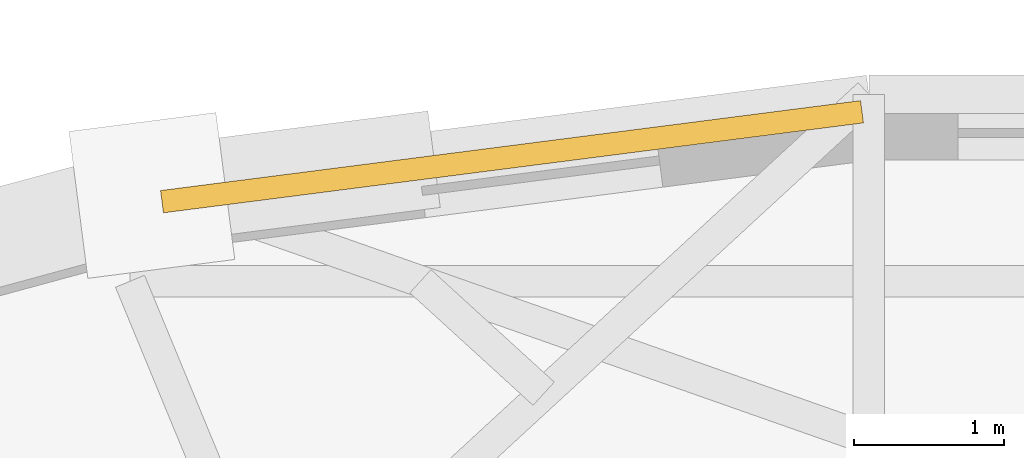
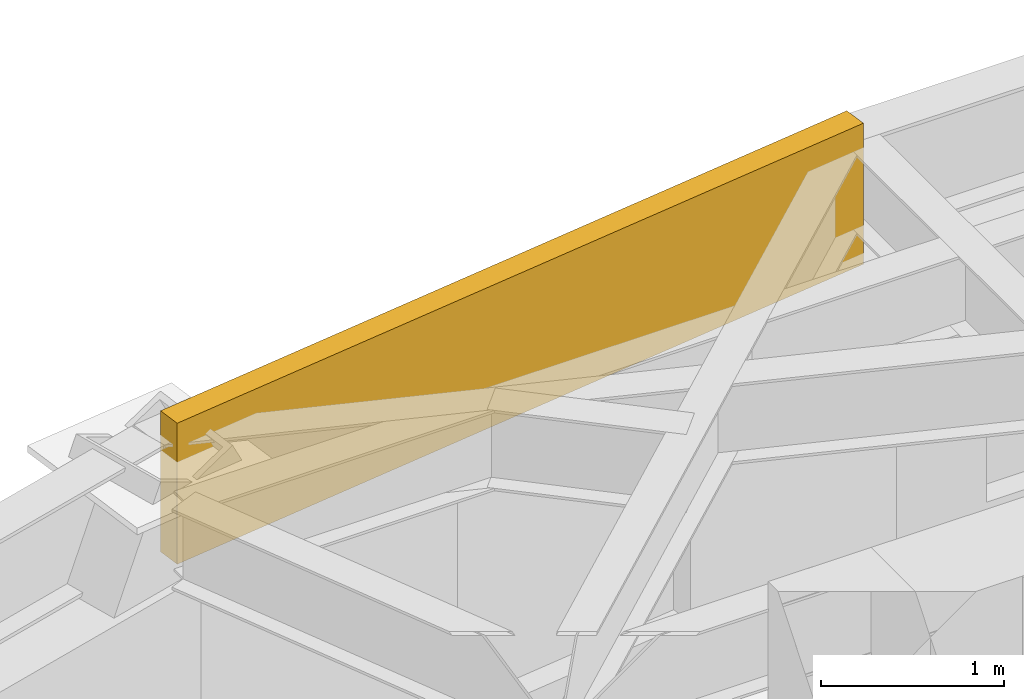
# One storey, part 15 of 15: 1 covering.
"""IFC4 building model written with IfcOpenShell, lengths in metres."""

from ifc_helpers import new_model, si_unit, direction, frame, origin, origin_2d, place, context, subcontext, project, spatial, rectangle, extrude, material, layer, layer_set, type_object, element, save


model = new_model("IFC4")

# Units and contexts
model_context = context("Model", 3, precision=1e-05, world=origin(), true_north=direction((0.0, 1.0)))
body_context = subcontext(model_context, "Body", "Model", "MODEL_VIEW")
ifc_project = project(units=[si_unit("LENGTHUNIT", "METRE"), si_unit("AREAUNIT", "SQUARE_METRE"), si_unit("VOLUMEUNIT", "CUBIC_METRE"), si_unit("PLANEANGLEUNIT", "RADIAN"), si_unit("MASSUNIT", "GRAM", prefix="KILO")], contexts=[model_context])

# Site, building, storey
site_placement = place(None, origin())
site = spatial("IfcSite", under=ifc_project, at=site_placement, CompositionType="ELEMENT")
building_placement = place(site_placement, origin())
building = spatial("IfcBuilding", under=site, at=building_placement, Name="Keldmark Tower", CompositionType="ELEMENT")
storey_placement = place(building_placement, frame((0.0, 0.0, 163.0)))
storey = spatial("IfcBuildingStorey", under=building, at=storey_placement, Name="L44", CompositionType="ELEMENT", Elevation=163.0)

# Covering
ifc_material = material(Name="Honed Kasota Buff Dolomitic Limestone", Category="masonry")
ifc_layer = layer(ifc_material, 0.074951171875)
ifc_layer_set = layer_set([ifc_layer], Name="Honed Kasota Buff Dolomitic Limestone")
covering_type = type_object("IfcCoveringType", Name="Kasota Buff Limestone Spandrel Cladding Band", PredefinedType="CLADDING", material=ifc_layer_set)
covering_placement = place(storey_placement, frame((-4.823974609375, 16.370849609375, 2.239013671875), z_axis=(0.0, 0.0, 1.0), x_axis=(-0.991850028246, -0.12741083733, 0.0)))
element("IfcCovering", 1, at=covering_placement, inside=storey, type_object=covering_type, Name="L44 Kasota Limestone Spandrel Band 09", PredefinedType="CLADDING", context=body_context, shape_type="SweptSolid", body=[
    extrude(rectangle(XDim=4.717041015625, YDim=0.14990234375, at=origin_2d()), origin(), (0.0, 0.0, 1.0), 0.94091796875),
])

save(model, "model.ifc")
